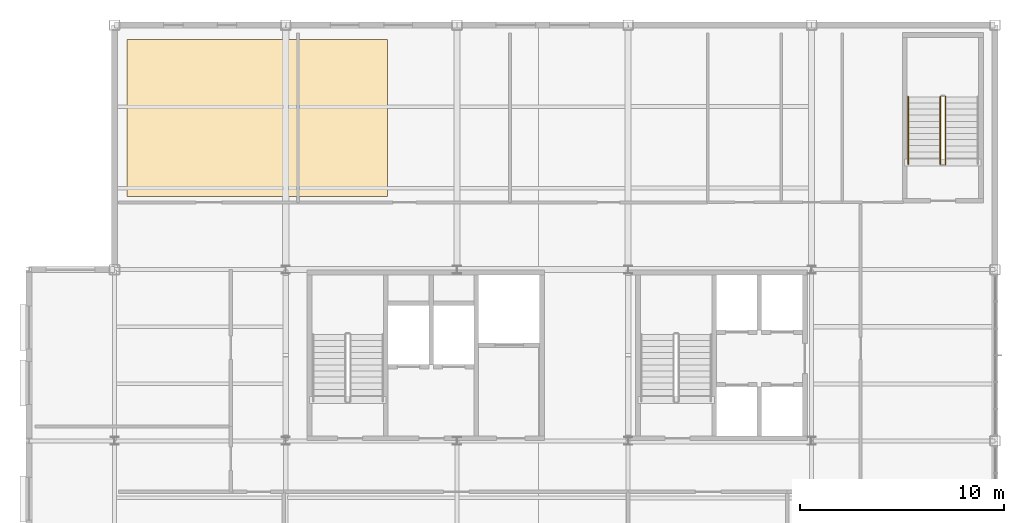
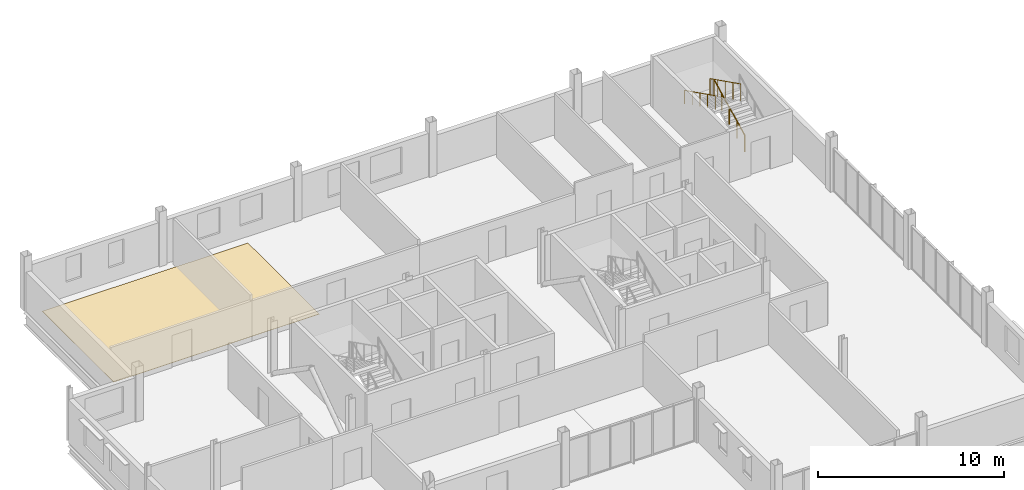
# One storey, part 19 of 20: 3 railings, 1 covering.
"""IFC4 building model written with IfcOpenShell, lengths in metres."""

import ifcopenshell
import ifcopenshell.guid

model = None  # the IFC model being written
_history = None  # IfcOwnerHistory: only IFC2X3 demands one
_inside = {}  # id of a spatial element -> (the spatial element, [elements in it])
_under = {}  # id of a project, library or spatial element -> (it, [spatial elements below it])
_declared = {}  # id of a project -> (the project, [libraries it declares])
_typed = {}  # id of a type object -> (the type object, [elements of that type])
_made_of = {}  # id of a material, layer set ... -> (it, [elements and type objects made of it])


def new_model(schema):
    """Start an empty IFC model of exactly this schema.

    Asked for "IFC4X3", IfcOpenShell would pick the latest addendum, in which some entities
    have other attributes; the version numbers below select the first issue.
    IFC2X3 requires an IfcOwnerHistory on every rooted entity: one is made here for all.
    """
    global model, _history
    if schema == "IFC4X3":
        model = ifcopenshell.file(schema_version=(4, 3, 0, 0))
    else:
        model = ifcopenshell.file(schema=schema)
    _inside.clear()
    _under.clear()
    _declared.clear()
    _typed.clear()
    _made_of.clear()
    _history = None
    if model.schema == "IFC2X3":
        org = make("IfcOrganization", Name="unknown")
        user = make(
            "IfcPersonAndOrganization",
            ThePerson=make("IfcPerson", FamilyName="unknown"),
            TheOrganization=org,
        )
        app = make(
            "IfcApplication",
            ApplicationDeveloper=org,
            Version="unknown",
            ApplicationFullName="unknown",
            ApplicationIdentifier="unknown",
        )
        _history = make(
            "IfcOwnerHistory",
            OwningUser=user,
            OwningApplication=app,
            ChangeAction="ADDED",
            CreationDate=0,
        )
    return model


def make(cls, **values):
    """One entity of the class cls with the attributes given. An attribute that is None is left unset."""
    return model.create_entity(
        cls, **{name: value for name, value in values.items() if value is not None}
    )


def rooted(cls, **values):
    """An entity with a GlobalId (a new one), such as an element, a storey or a relation."""
    return make(cls, GlobalId=ifcopenshell.guid.new(), OwnerHistory=_history, **values)


def si_unit(unit_type, name, prefix=None):
    """IfcSIUnit, for example si_unit("LENGTHUNIT", "METRE", prefix="MILLI")."""
    return make("IfcSIUnit", UnitType=unit_type, Prefix=prefix, Name=name)


def assignment(units):
    """IfcUnitAssignment: the units of a project."""
    return None if units is None else make("IfcUnitAssignment", Units=units)


def point(xyz):
    """IfcCartesianPoint."""
    return None if xyz is None else make("IfcCartesianPoint", Coordinates=xyz)


def direction(xyz):
    """IfcDirection."""
    return None if xyz is None else make("IfcDirection", DirectionRatios=xyz)


def frame(location, z_axis=None, x_axis=None):
    """IfcAxis2Placement3D, a coordinate frame: its origin and axes. An axis left out is left unset."""
    return make(
        "IfcAxis2Placement3D",
        Location=point(location),
        Axis=direction(z_axis),
        RefDirection=direction(x_axis),
    )


def frame_2d(location, x_axis=None):
    """IfcAxis2Placement2D, a coordinate frame in the plane: its origin and x axis."""
    return make(
        "IfcAxis2Placement2D", Location=point(location), RefDirection=direction(x_axis)
    )


def origin():
    """The frame at (0, 0, 0) with its axes left unset."""
    return frame((0.0, 0.0, 0.0))


def origin_2d():
    """The frame at (0, 0) in the plane with its x axis left unset."""
    return frame_2d((0.0, 0.0))


def place(relative_to, where):
    """IfcLocalPlacement: puts the frame where relative to a parent placement (None: the world)."""
    return make(
        "IfcLocalPlacement", PlacementRelTo=relative_to, RelativePlacement=where
    )


def context(
    kind, dimensions, precision=None, world=None, true_north=None, identifier=None
):
    """IfcGeometricRepresentationContext, for example the 3D "Model" context."""
    return make(
        "IfcGeometricRepresentationContext",
        ContextIdentifier=identifier,
        ContextType=kind,
        CoordinateSpaceDimension=dimensions,
        Precision=precision,
        WorldCoordinateSystem=world,
        TrueNorth=true_north,
    )


def subcontext(parent, identifier, kind, view, scale=None):
    """IfcGeometricRepresentationSubContext, for example "Body" below "Model"."""
    return make(
        "IfcGeometricRepresentationSubContext",
        ContextIdentifier=identifier,
        ContextType=kind,
        ParentContext=parent,
        TargetScale=scale,
        TargetView=view,
    )


def project(units=None, contexts=None):
    """IfcProject with its units and contexts."""
    return rooted(
        "IfcProject",
        Name="project",
        RepresentationContexts=contexts,
        UnitsInContext=assignment(units),
    )


def spatial(cls, under=None, at=None, **own):
    """A site, building, storey or space (cls), placed at a placement, below another one or the project."""
    s = rooted(cls, ObjectPlacement=at, **own)
    if under is not None:
        _under.setdefault(under.id(), (under, []))[1].append(s)
    return s


def polyline(points):
    """IfcPolyline through the points."""
    return make("IfcPolyline", Points=[point(p) for p in points])


def profile(cls, at=None, kind="AREA", **sizes):
    """A parametric profile (cls). Its sizes go by their IFC names, for example OverallWidth=200.0."""
    return make(cls, ProfileType=kind, Position=at, **sizes)


def circle(**sizes):
    """IfcCircleProfileDef."""
    return profile("IfcCircleProfileDef", **sizes)


def outline(outer, holes=None, kind="AREA"):
    """IfcArbitraryClosedProfileDef: a profile drawn as a closed curve; with holes, ...WithVoids."""
    if holes is None:
        return make("IfcArbitraryClosedProfileDef", ProfileType=kind, OuterCurve=outer)
    return make(
        "IfcArbitraryProfileDefWithVoids",
        ProfileType=kind,
        OuterCurve=outer,
        InnerCurves=holes,
    )


def extrude(swept, where, along, depth):
    """IfcExtrudedAreaSolid: the profile swept, set in the frame where, extruded along a direction by depth."""
    return make(
        "IfcExtrudedAreaSolid",
        SweptArea=swept,
        Position=where,
        ExtrudedDirection=direction(along),
        Depth=depth,
    )


def shape(context_of_items, identifier, shape_type, items):
    """IfcShapeRepresentation: the items that make up one representation, for example the "Body"."""
    return make(
        "IfcShapeRepresentation",
        ContextOfItems=context_of_items,
        RepresentationIdentifier=identifier,
        RepresentationType=shape_type,
        Items=items,
    )


def material(Name=None, Category=None):
    """IfcMaterial."""
    return make("IfcMaterial", Name=Name, Category=Category)


def layer(
    of_material, thickness, ventilated=None, Name=None, Category=None, Priority=None
):
    """IfcMaterialLayer: one layer of a wall or slab, of a material (None: an air gap)."""
    return make(
        "IfcMaterialLayer",
        Material=of_material,
        LayerThickness=thickness,
        IsVentilated=ventilated,
        Name=Name,
        Category=Category,
        Priority=Priority,
    )


def layer_set(layers, Name=None):
    """IfcMaterialLayerSet."""
    return make("IfcMaterialLayerSet", MaterialLayers=layers, LayerSetName=Name)


def made_of(thing, what):
    """Note that an element or type object is made of a material, layer set ...; save() writes the relation."""
    if what is not None:
        _made_of.setdefault(what.id(), (what, []))[1].append(thing)
    return thing


def type_object(cls, material=None, **own):
    """A type object (cls), such as IfcWallType, which elements share."""
    return made_of(rooted(cls, **own), material)


def element(
    cls,
    number,
    at=None,
    inside=None,
    cuts=None,
    type_object=None,
    material=None,
    context=None,
    identifier="Body",
    shape_type=None,
    held_by="IfcProductDefinitionShape",
    body=None,
    shapes=None,
    **own,
):
    """One element of the class cls, such as IfcWall. Its Tag is "e" and its number.

    at: its placement. inside: the storey or other place that contains it. cuts: it is an
    opening in that element (IfcRelVoidsElement). A single representation is given by context,
    identifier, shape_type and body (its items); several are given by shapes. held_by: the class
    of the entity that holds the representations. save() writes the other relations.
    """
    e = rooted(cls, Tag="e%d" % number, ObjectPlacement=at, **own)
    if body is not None:
        shapes = [shape(context, identifier, shape_type, body)]
    if shapes is not None:
        e.Representation = make(held_by, Representations=shapes)
    if inside is not None:
        _inside.setdefault(inside.id(), (inside, []))[1].append(e)
    if cuts is not None:
        rooted(
            "IfcRelVoidsElement", RelatingBuildingElement=cuts, RelatedOpeningElement=e
        )
    if type_object is not None:
        _typed.setdefault(type_object.id(), (type_object, []))[1].append(e)
    return made_of(e, material)


def aggregate(whole, parts):
    """IfcRelAggregates: a whole, such as a stair, and the parts it consists of."""
    return rooted("IfcRelAggregates", RelatingObject=whole, RelatedObjects=parts)


def save(model, path):
    """Write the relations noted so far, then the file.

    IfcRelAggregates (storeys below a building ...), IfcRelContainedInSpatialStructure (elements
    in a storey), IfcRelDefinesByType, IfcRelAssociatesMaterial and IfcRelDeclares: one each for
    every whole, place, type object, material and project.
    """
    for whole, parts in _under.values():
        aggregate(whole, parts)
    for where, things in _inside.values():
        rooted(
            "IfcRelContainedInSpatialStructure",
            RelatedElements=things,
            RelatingStructure=where,
        )
    for kind, things in _typed.values():
        rooted("IfcRelDefinesByType", RelatedObjects=things, RelatingType=kind)
    for what, things in _made_of.values():
        rooted("IfcRelAssociatesMaterial", RelatedObjects=things, RelatingMaterial=what)
    for by, libraries in _declared.values():
        rooted("IfcRelDeclares", RelatingContext=by, RelatedDefinitions=libraries)
    model.write(path)


model = new_model("IFC4")

# Units and contexts
model_context = context("Model", 3, precision=1e-05, world=origin(), true_north=direction((0.0, 1.0)))
body_context = subcontext(model_context, "Body", "Model", "MODEL_VIEW")
ifc_project = project(units=[si_unit("LENGTHUNIT", "METRE"), si_unit("AREAUNIT", "SQUARE_METRE"), si_unit("VOLUMEUNIT", "CUBIC_METRE"), si_unit("PLANEANGLEUNIT", "RADIAN"), si_unit("MASSUNIT", "GRAM", prefix="KILO")], contexts=[model_context])

# Site, building, storey
site_placement = place(None, origin())
site = spatial("IfcSite", under=ifc_project, at=site_placement, CompositionType="ELEMENT")
building_placement = place(site_placement, origin())
building = spatial("IfcBuilding", under=site, at=building_placement, Name="Yukiwa Park Conservatory and Herbarium", CompositionType="ELEMENT")
storey_placement = place(building_placement, frame((0.0, 0.0, 28.199951171875)))
storey = spatial("IfcBuildingStorey", under=building, at=storey_placement, Name="L07", CompositionType="ELEMENT", Elevation=28.199951171875)

# Covering
ifc_material_1 = material(Name="Anti-Static Laboratory Epoxy Flooring")
ifc_layer_1 = layer(ifc_material_1, 0.02001953125)
ifc_layer_set_1 = layer_set([ifc_layer_1], Name="Anti-Static Laboratory Epoxy Flooring")
covering_type = type_object("IfcCoveringType", Name="COV-FLR-EPOXY", PredefinedType="FLOORING", material=ifc_layer_set_1)
covering_placement = place(storey_placement, origin())
element("IfcCovering", 1, at=covering_placement, inside=storey, type_object=covering_type, Name="L07 finished floor covering FLR-L07-LAB", PredefinedType="FLOORING", context=body_context, shape_type="SweptSolid", body=[
    extrude(outline(polyline([(125.39990234375, 106.800048828125), (138.199951171875, 106.800048828125), (138.199951171875, 114.5), (125.39990234375, 114.5), (125.39990234375, 106.800048828125)])), origin(), (0.0, 0.0, 1.0), 0.02001953125),
])

# Railings
ifc_material_2 = material(Name="Steel Q235B", Category="steel")
ifc_layer_2 = layer(ifc_material_2, 0.050048828125)
ifc_layer_set_2 = layer_set([ifc_layer_2], Name="Steel Q235B")
railing_type_1 = type_object("IfcRailingType", Name="RL-STAIR-GUARD-1120", PredefinedType="BALUSTRADE", material=ifc_layer_set_2)
railing_1_placement = place(storey_placement, frame((165.570068359375, 108.3798828125, 0.150146484375)))
element("IfcRailing", 2, at=railing_1_placement, inside=storey, type_object=railing_type_1, Name="L07 ST-T3 stair guard 1", PredefinedType="BALUSTRADE", context=body_context, shape_type="SweptSolid", body=[
    extrude(circle(Radius=0.02392578125, at=origin_2d()), frame((0.0, 0.0, 1.09619140625), z_axis=(0.0, 0.894440424912, 0.447187126696), x_axis=(-1.0, 0.0, 0.0)), (0.0, 0.0, 1.0), 3.689453125),
    extrude(circle(Radius=0.02099609375, at=origin_2d()), origin(), (0.0, 0.0, 1.0), 1.072021484375),
    extrude(circle(Radius=0.02099609375, at=origin_2d()), frame((0.0, 0.824951171875, 0.41259765625)), (0.0, 0.0, 1.0), 1.072021484375),
    extrude(circle(Radius=0.02099609375, at=origin_2d()), frame((0.0, 1.64990234375, 0.824951171875)), (0.0, 0.0, 1.0), 1.072021484375),
    extrude(circle(Radius=0.02099609375, at=origin_2d()), frame((0.0, 2.47509765625, 1.2373046875)), (0.0, 0.0, 1.0), 1.072021484375),
    extrude(circle(Radius=0.02099609375, at=origin_2d()), frame((0.0, 3.300048828125, 1.64990234375)), (0.0, 0.0, 1.0), 1.072021484375),
])
railing_2_placement = place(storey_placement, frame((165.320068359375, 111.679931640625, 1.949951171875)))
element("IfcRailing", 3, at=railing_2_placement, inside=storey, type_object=railing_type_1, Name="L07 ST-T3 stair guard 3", PredefinedType="BALUSTRADE", context=body_context, shape_type="SweptSolid", body=[
    extrude(circle(Radius=0.02392578125, at=origin_2d()), frame((0.0, 0.0, 1.09619140625), z_axis=(0.0, -0.894413956696, 0.447240063129), x_axis=(1.0, 0.0, 0.0)), (0.0, 0.0, 1.0), 3.689697265625),
    extrude(circle(Radius=0.02099609375, at=origin_2d()), origin(), (0.0, 0.0, 1.0), 1.072021484375),
    extrude(circle(Radius=0.02099609375, at=origin_2d()), frame((0.0, -0.824951171875, 0.41259765625)), (0.0, 0.0, 1.0), 1.072021484375),
    extrude(circle(Radius=0.02099609375, at=origin_2d()), frame((0.0, -1.64990234375, 0.8251953125)), (0.0, 0.0, 1.0), 1.072021484375),
    extrude(circle(Radius=0.02099609375, at=origin_2d()), frame((0.0, -2.47509765625, 1.237548828125)), (0.0, 0.0, 1.0), 1.072021484375),
    extrude(circle(Radius=0.02099609375, at=origin_2d()), frame((0.0, -3.300048828125, 1.650146484375)), (0.0, 0.0, 1.0), 1.072021484375),
])
ifc_material_3 = material(Name="Steel Q235B", Category="steel")
ifc_layer_3 = layer(ifc_material_3, 0.044921875)
ifc_layer_set_3 = layer_set([ifc_layer_3], Name="Steel Q235B")
railing_type_2 = type_object("IfcRailingType", Name="RL-STAIR-RAIL-900", PredefinedType="HANDRAIL", material=ifc_layer_set_3)
railing_3_placement = place(storey_placement, frame((163.739990234375, 111.679931640625, 1.949951171875)))
element("IfcRailing", 4, at=railing_3_placement, inside=storey, type_object=railing_type_2, Name="L07 ST-T3 stair handrail 2", PredefinedType="HANDRAIL", context=body_context, shape_type="SweptSolid", body=[
    extrude(circle(Radius=0.02392578125, at=origin_2d()), frame((0.0, 0.0, 0.8759765625), z_axis=(0.0, -0.894413956696, 0.447240063129), x_axis=(1.0, 0.0, 0.0)), (0.0, 0.0, 1.0), 3.689697265625),
    extrude(circle(Radius=0.02099609375, at=origin_2d()), origin(), (0.0, 0.0, 1.0), 0.851806640625),
    extrude(circle(Radius=0.02099609375, at=origin_2d()), frame((0.0, -0.824951171875, 0.41259765625)), (0.0, 0.0, 1.0), 0.851806640625),
    extrude(circle(Radius=0.02099609375, at=origin_2d()), frame((0.0, -1.64990234375, 0.8251953125)), (0.0, 0.0, 1.0), 0.851806640625),
    extrude(circle(Radius=0.02099609375, at=origin_2d()), frame((0.0, -2.47509765625, 1.237548828125)), (0.0, 0.0, 1.0), 0.851806640625),
    extrude(circle(Radius=0.02099609375, at=origin_2d()), frame((0.0, -3.300048828125, 1.650146484375)), (0.0, 0.0, 1.0), 0.851806640625),
])

save(model, "model.ifc")
